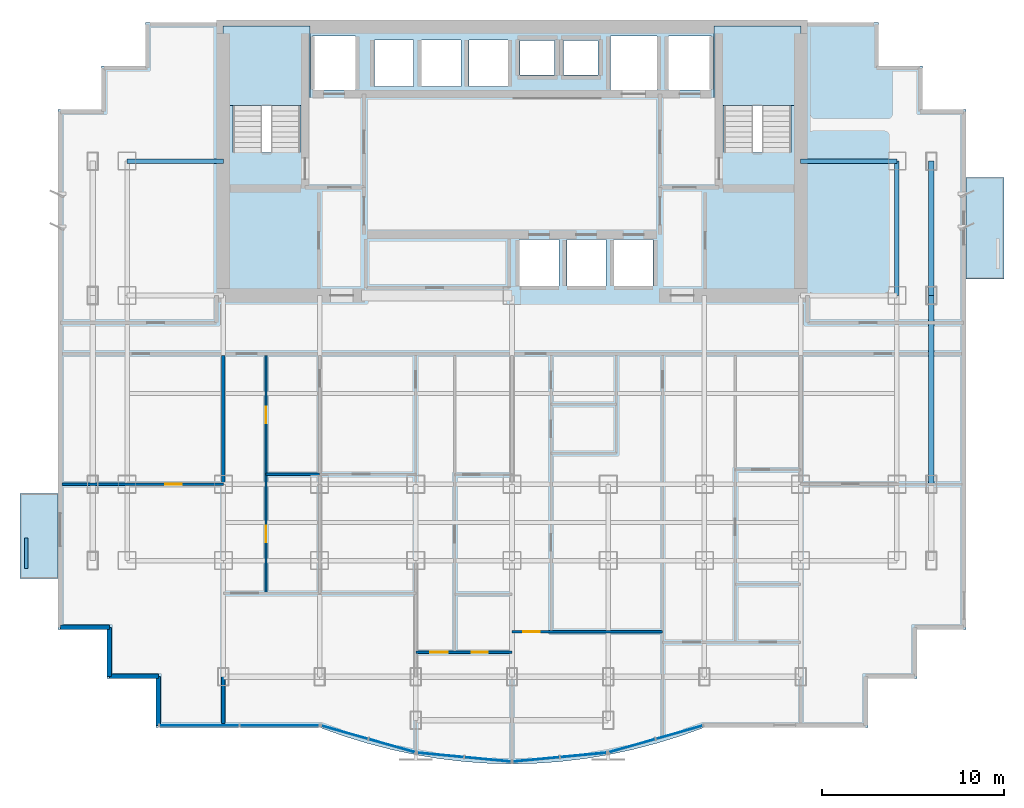
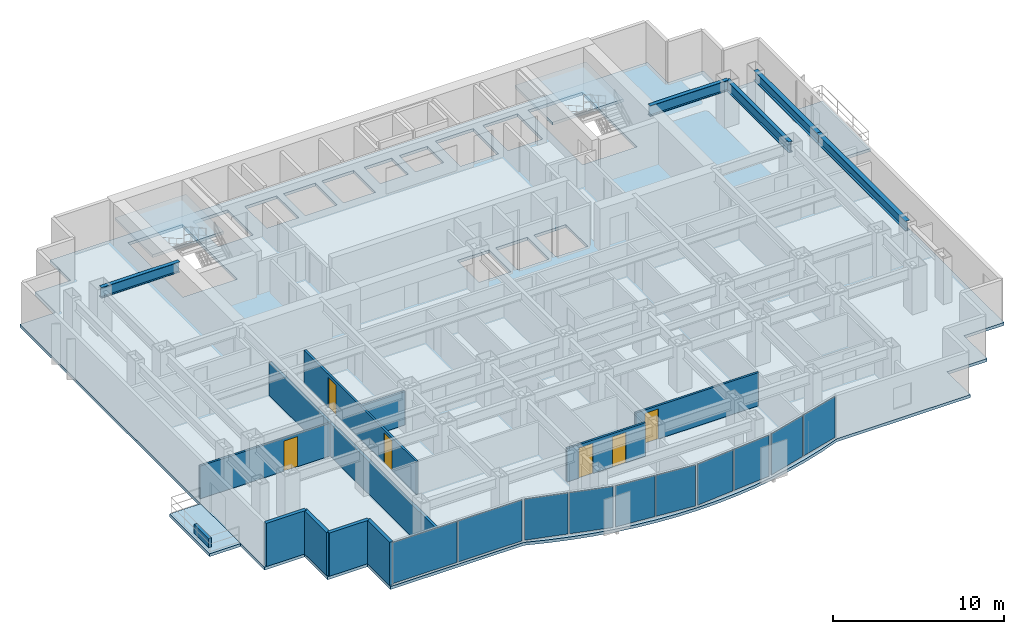
# One storey, part 4 of 10: 11 walls, 10 plates, 6 doors, 5 beams, 5 slabs, 6 openings, 7 elements without a shape of their own.
"""IFC4 building model written with IfcOpenShell, lengths in metres."""

from ifc_helpers import new_model, si_unit, direction, frame, frame_2d, origin, origin_2d, place, context, subcontext, project, spatial, polyline, rectangle, i_section, outline, extrude, source, transform, mapped, material, layer, layer_set, material_profile, profile_set, type_object, element, fill, aggregate, save


model = new_model("IFC4")

# Units and contexts
model_context = context("Model", 3, precision=1e-05, world=origin(), true_north=direction((0.0, 1.0)))
body_context = subcontext(model_context, "Body", "Model", "MODEL_VIEW")
ifc_project = project(units=[si_unit("LENGTHUNIT", "METRE"), si_unit("AREAUNIT", "SQUARE_METRE"), si_unit("VOLUMEUNIT", "CUBIC_METRE"), si_unit("PLANEANGLEUNIT", "RADIAN"), si_unit("MASSUNIT", "GRAM", prefix="KILO")], contexts=[model_context])

# Site, building, storey
site_placement = place(None, origin())
site = spatial("IfcSite", under=ifc_project, at=site_placement, CompositionType="ELEMENT")
building_placement = place(site_placement, origin())
building = spatial("IfcBuilding", under=site, at=building_placement, Name="Qianlan Lanfeng Residences", CompositionType="ELEMENT")
storey_placement = place(building_placement, frame((0.0, 0.0, 94.89990234375)))
storey = spatial("IfcBuildingStorey", under=building, at=storey_placement, Name="L25", CompositionType="ELEMENT", Elevation=94.89990234375)

# Beams
ifc_material_1 = material(Name="Steel SN490B", Category="steel")
ifc_material_profile_1 = material_profile(ifc_material_1, i_section(OverallWidth=0.25, OverallDepth=0.75, WebThickness=0.013916015625, FlangeThickness=0.02490234375, at=origin_2d()), Name="H 750x250x14x25")
ifc_profile_set_1 = profile_set([ifc_material_profile_1], Name="Steel SN490B")
beam_type_1 = type_object("IfcBeamType", Name="G-850", PredefinedType="BEAM", material=ifc_profile_set_1)
for number, where, z_axis, x_axis, name in (
    (1, (5.300048828125, 32.60009765625, 2.715087890625), (1.0, 0.0, 0.0), (0.0, 1.0, 0.0), "Structural beam G-850"),
    (2, (42.39990234375, 32.60009765625, 2.715087890625), (1.0, 0.0, 0.0), (0.0, 1.0, 0.0), "Structural beam G-850"),
):
    element("IfcBeam", number, at=place(storey_placement, frame(where, z_axis=z_axis, x_axis=x_axis)), inside=storey, type_object=beam_type_1, Name=name, PredefinedType="BEAM", context=body_context, shape_type="SweptSolid", body=[
        extrude(i_section(OverallWidth=0.25, OverallDepth=0.75, WebThickness=0.013916015625, FlangeThickness=0.02490234375, at=origin_2d()), origin(), (0.0, 0.0, 1.0), 5.300048828125),
    ])
beam_1_placement = place(storey_placement, frame((47.699951171875, 25.199951171875, 2.715087890625), z_axis=(0.0, 1.0, 0.0), x_axis=(-1.0, 0.0, 0.0)))
element("IfcBeam", 3, at=beam_1_placement, inside=storey, type_object=beam_type_1, Name="Structural beam G-850", PredefinedType="BEAM", context=body_context, shape_type="SweptSolid", body=[
    extrude(i_section(OverallWidth=0.25, OverallDepth=0.75, WebThickness=0.013916015625, FlangeThickness=0.02490234375, at=origin_2d()), origin(), (0.0, 0.0, 1.0), 7.400146484375),
])
ifc_material_profile_2 = material_profile(ifc_material_1, i_section(OverallWidth=0.300048828125, OverallDepth=0.699951171875, WebThickness=0.012939453125, FlangeThickness=0.02392578125, at=origin_2d()), Name="H 700x300x13x24")
ifc_profile_set_2 = profile_set([ifc_material_profile_2], Name="Steel SN490B")
beam_type_2 = type_object("IfcBeamType", Name="SG-750", PredefinedType="SPANDREL", material=ifc_profile_set_2)
beam_2_placement = place(storey_placement, frame((49.60009765625, 14.800048828125, 2.739990234375), z_axis=(0.0, 1.0, 0.0), x_axis=(-1.0, 0.0, 0.0)))
element("IfcBeam", 4, at=beam_2_placement, inside=storey, type_object=beam_type_2, Name="Structural beam SG-750", PredefinedType="SPANDREL", context=body_context, shape_type="SweptSolid", body=[
    extrude(i_section(OverallWidth=0.300048828125, OverallDepth=0.699951171875, WebThickness=0.012939453125, FlangeThickness=0.02392578125, at=origin_2d()), origin(), (0.0, 0.0, 1.0), 10.39990234375),
])
beam_3_placement = place(storey_placement, frame((49.60009765625, 25.199951171875, 2.739990234375), z_axis=(0.0, 1.0, 0.0), x_axis=(-1.0, 0.0, 0.0)))
element("IfcBeam", 5, at=beam_3_placement, inside=storey, type_object=beam_type_2, Name="Structural beam SG-750", PredefinedType="SPANDREL", context=body_context, shape_type="SweptSolid", body=[
    extrude(i_section(OverallWidth=0.300048828125, OverallDepth=0.699951171875, WebThickness=0.012939453125, FlangeThickness=0.02392578125, at=origin_2d()), origin(), (0.0, 0.0, 1.0), 7.400146484375),
])

# Slabs
ifc_material_2 = material(Name="Concrete C42", Category="concrete")
ifc_layer_1 = layer(ifc_material_2, 0.2099609375)
ifc_layer_set_1 = layer_set([ifc_layer_1], Name="Concrete C42")
slab_type_1 = type_object("IfcSlabType", Name="S-BAL-210", PredefinedType="FLOOR", material=ifc_layer_set_1)
slab_1_placement = place(storey_placement, frame((0.0, 0.0, -0.2099609375)))
element("IfcSlab", 6, at=slab_1_placement, inside=storey, type_object=slab_type_1, Name="L25 Planted Tree Balcony Slab WB-S", PredefinedType="FLOOR", context=body_context, shape_type="SweptSolid", body=[
    extrude(outline(polyline([(1.5, 9.60009765625), (1.5, 14.300048828125), (-0.60009765625, 14.300048828125), (-0.60009765625, 9.60009765625), (1.5, 9.60009765625)])), origin(), (0.0, 0.0, 1.0), 0.2099609375),
])
slab_2_placement = place(storey_placement, frame((0.0, 0.0, -0.2099609375)))
element("IfcSlab", 7, at=slab_2_placement, inside=storey, type_object=slab_type_1, Name="L25 Planted Tree Balcony Slab EB-N", PredefinedType="FLOOR", context=body_context, shape_type="SweptSolid", body=[
    extrude(outline(polyline([(51.5, 31.699951171875), (51.5, 26.10009765625), (53.60009765625, 26.10009765625), (53.60009765625, 31.699951171875), (51.5, 31.699951171875)])), origin(), (0.0, 0.0, 1.0), 0.2099609375),
])
ifc_layer_2 = layer(ifc_material_2, 0.2099609375)
ifc_layer_set_2 = layer_set([ifc_layer_2], Name="Concrete C42")
slab_type_2 = type_object("IfcSlabType", Name="S-FL-210", PredefinedType="FLOOR", material=ifc_layer_set_2)
slab_3_placement = place(storey_placement, frame((0.0, 0.0, -0.2099609375)))
element("IfcSlab", 8, at=slab_3_placement, inside=storey, type_object=slab_type_2, Name="L25 Structural Floor Slab", PredefinedType="FLOOR", context=body_context, shape_type="SweptSolid", body=[
    extrude(outline(polyline([(1.5, 6.800048828125), (4.199951171875, 6.800048828125), (4.199951171875, 4.10009765625), (6.89990234375, 4.10009765625), (6.89990234375, 1.39990234375), (15.919921875, 1.39990234375), (17.241943359375, 0.930908203125), (18.56494140625, 0.52490234375), (19.886962890625, 0.180908203125), (21.2099609375, -0.10009765625), (22.531982421875, -0.319091796875), (23.85498046875, -0.47509765625), (25.177001953125, -0.569091796875), (26.5, -0.60009765625), (27.822021484375, -0.569091796875), (29.14501953125, -0.47509765625), (30.467041015625, -0.319091796875), (31.7900390625, -0.10009765625), (33.112060546875, 0.180908203125), (34.43505859375, 0.52490234375), (35.758056640625, 0.930908203125), (37.080078125, 1.39990234375), (46.10009765625, 1.39990234375), (46.10009765625, 4.10009765625), (48.800048828125, 4.10009765625), (48.800048828125, 6.800048828125), (51.5, 6.800048828125), (51.5, 35.449951171875), (49.10009765625, 35.449951171875), (49.10009765625, 37.85009765625), (46.699951171875, 37.85009765625), (46.699951171875, 40.25), (6.300048828125, 40.25), (6.300048828125, 37.85009765625), (3.89990234375, 37.85009765625), (3.89990234375, 35.449951171875), (1.5, 35.449951171875), (1.5, 6.800048828125)]), holes=[polyline([(11.139892578125, 33.080078125), (11.139892578125, 39.5), (14.820068359375, 39.5), (14.820068359375, 33.080078125), (11.139892578125, 33.080078125)]), polyline([(38.179931640625, 33.080078125), (38.179931640625, 39.5), (41.860107421875, 39.5), (41.860107421875, 33.080078125), (38.179931640625, 33.080078125)]), polyline([(15.52001953125, 36.52001953125), (15.52001953125, 39.47998046875), (17.8798828125, 39.47998046875), (17.8798828125, 36.52001953125), (15.52001953125, 36.52001953125)]), polyline([(35.1201171875, 36.52001953125), (35.1201171875, 39.47998046875), (37.47998046875, 39.47998046875), (37.47998046875, 36.52001953125), (35.1201171875, 36.52001953125)]), polyline([(31.919921875, 36.52001953125), (31.919921875, 39.47998046875), (34.47998046875, 39.47998046875), (34.47998046875, 36.52001953125), (31.919921875, 36.52001953125)]), polyline([(26.919921875, 25.719970703125), (26.919921875, 28.280029296875), (29.080078125, 28.280029296875), (29.080078125, 25.719970703125), (26.919921875, 25.719970703125)]), polyline([(29.52001953125, 25.719970703125), (29.52001953125, 28.280029296875), (31.679931640625, 28.280029296875), (31.679931640625, 25.719970703125), (29.52001953125, 25.719970703125)]), polyline([(32.1201171875, 25.719970703125), (32.1201171875, 28.280029296875), (34.280029296875, 28.280029296875), (34.280029296875, 25.719970703125), (32.1201171875, 25.719970703125)]), polyline([(18.919921875, 36.719970703125), (18.919921875, 39.280029296875), (21.080078125, 39.280029296875), (21.080078125, 36.719970703125), (18.919921875, 36.719970703125)]), polyline([(21.52001953125, 36.719970703125), (21.52001953125, 39.280029296875), (23.679931640625, 39.280029296875), (23.679931640625, 36.719970703125), (21.52001953125, 36.719970703125)]), polyline([(24.1201171875, 36.719970703125), (24.1201171875, 39.280029296875), (26.280029296875, 39.280029296875), (26.280029296875, 36.719970703125), (24.1201171875, 36.719970703125)]), polyline([(26.949951171875, 37.35009765625), (26.949951171875, 39.25), (28.85009765625, 39.25), (28.85009765625, 37.35009765625), (26.949951171875, 37.35009765625)]), polyline([(29.35009765625, 37.35009765625), (29.35009765625, 39.25), (31.25, 39.25), (31.25, 37.35009765625), (29.35009765625, 37.35009765625)])]), origin(), (0.0, 0.0, 1.0), 0.2099609375),
])

# Stair, slab
stair_type = type_object("IfcStairType", Name="STR-MAIN", PredefinedType="HALF_TURN_STAIR", material=ifc_material_2)
stair_1_placement = place(storey_placement, origin())
stair_1 = element("IfcStair", 9, at=stair_1_placement, inside=storey, type_object=stair_type, Name="L25 Exit Stair ST-1", PredefinedType="HALF_TURN_STAIR")
ifc_layer_3 = layer(ifc_material_2, 0.179931640625)
ifc_layer_set_3 = layer_set([ifc_layer_3], Name="Concrete C42")
slab_type_3 = type_object("IfcSlabType", Name="S-LND-180", PredefinedType="LANDING", material=ifc_layer_set_3)
slab_4_placement = place(storey_placement, frame((0.0, 0.0, 1.4501953125)))
slab_4 = element("IfcSlab", 10, at=slab_4_placement, type_object=slab_type_3, Name="ST-1 landing 1", PredefinedType="LANDING", context=body_context, shape_type="SweptSolid", body=[
    extrude(outline(polyline([(10.580078125, 35.659912109375), (15.3798828125, 35.659912109375), (15.3798828125, 40.050048828125), (10.580078125, 40.050048828125), (10.580078125, 35.659912109375)])), origin(), (0.0, 0.0, 1.0), 0.199951171875),
])
aggregate(stair_1, [slab_4])

stair_2_placement = place(storey_placement, origin())
stair_2 = element("IfcStair", 11, at=stair_2_placement, inside=storey, type_object=stair_type, Name="L25 Exit Stair ST-2", PredefinedType="HALF_TURN_STAIR")
slab_5_placement = place(storey_placement, frame((0.0, 0.0, 1.4501953125)))
slab_5 = element("IfcSlab", 12, at=slab_5_placement, type_object=slab_type_3, Name="ST-2 landing 1", PredefinedType="LANDING", context=body_context, shape_type="SweptSolid", body=[
    extrude(outline(polyline([(37.6201171875, 35.659912109375), (42.419921875, 35.659912109375), (42.419921875, 40.050048828125), (37.6201171875, 40.050048828125), (37.6201171875, 35.659912109375)])), origin(), (0.0, 0.0, 1.0), 0.199951171875),
])
aggregate(stair_2, [slab_5])

# Curtain wall, plate
ifc_material_3 = material(Name="Anodised Bronze Aluminium 6063-T6", Category="aluminium")
ifc_layer_4 = layer(ifc_material_3, 0.219970703125)
ifc_layer_set_4 = layer_set([ifc_layer_4], Name="Anodised Bronze Aluminium 6063-T6")
curtain_wall_type = type_object("IfcCurtainWallType", Name="CW-03", PredefinedType="NOTDEFINED", material=ifc_layer_set_4)
curtain_wall_1_placement = place(storey_placement, origin())
curtain_wall_1 = element("IfcCurtainWall", 13, at=curtain_wall_1_placement, inside=storey, type_object=curtain_wall_type, Name="L25 Unitised Curtain Wall CWR-L25-02 (CW-03)", PredefinedType="NOTDEFINED")
ifc_material_4 = material(Name="Perforated Anodised Bronze Aluminium Panel", Category="aluminium")
ifc_layer_5 = layer(ifc_material_4, 0.0419921875)
ifc_layer_set_5 = layer_set([ifc_layer_5], Name="Perforated Anodised Bronze Aluminium Panel")
plate_type_1 = type_object("IfcPlateType", Name="PNL-PRF-BRZ", PredefinedType="CURTAIN_PANEL", material=ifc_layer_set_5)
shared_shape_1 = source(origin(), body_context, "Body", "SweptSolid", [
    extrude(rectangle(XDim=2.632080078125, YDim=0.0419921875, at=origin_2d()), origin(), (0.0, 0.0, 1.0), 2.931884765625),
])
plate_1_placement = place(storey_placement, frame((19.889892578125, 0.39892578125, 0.0791015625), z_axis=(0.0, 0.0, 1.0), x_axis=(0.961989074302, -0.273087936247, 0.0)))
plate_1 = element("IfcPlate", 14, at=plate_1_placement, type_object=plate_type_1, Name="CWR-L25-02 Curtain Panel 2", PredefinedType="CURTAIN_PANEL", context=body_context, shape_type="MappedRepresentation", body=[
    mapped(shared_shape_1, transform((0.0, 0.0, 0.0), scale=1.0)),
])

# Curtain wall, plates
curtain_wall_2_placement = place(storey_placement, origin())
curtain_wall_2 = element("IfcCurtainWall", 15, at=curtain_wall_2_placement, inside=storey, type_object=curtain_wall_type, Name="L25 Unitised Curtain Wall CWR-L25-01 (CW-03)", PredefinedType="NOTDEFINED")
ifc_material_5 = material(Name="Dark Bronze Tinted Insulated Glass", Category="glass")
ifc_layer_6 = layer(ifc_material_5, 0.0380859375)
ifc_layer_set_6 = layer_set([ifc_layer_6], Name="Dark Bronze Tinted Insulated Glass")
plate_type_2 = type_object("IfcPlateType", Name="PNL-GLZ-BRZ", PredefinedType="CURTAIN_PANEL", material=ifc_layer_set_6)
shared_shape_2 = source(origin(), body_context, "Body", "SweptSolid", [
    extrude(rectangle(XDim=4.342529296875, YDim=0.0380859375, at=origin_2d()), origin(), (0.0, 0.0, 1.0), 2.931884765625),
])
plate_2_placement = place(storey_placement, frame((9.270263671875, 1.52001953125, 0.0791015625), z_axis=(0.0, 0.0, 1.0), x_axis=(1.0, 0.0, 0.0)))
plate_2 = element("IfcPlate", 16, at=plate_2_placement, type_object=plate_type_2, Name="CWR-L25-01 Curtain Panel 1", PredefinedType="CURTAIN_PANEL", context=body_context, shape_type="MappedRepresentation", body=[
    mapped(shared_shape_2, transform((0.0, 0.0, 0.0), scale=1.0)),
])
plate_3_placement = place(storey_placement, frame((13.690673828125, 1.52001953125, 0.0791015625), z_axis=(0.0, 0.0, 1.0), x_axis=(1.0, 0.0, 0.0)))
plate_3 = element("IfcPlate", 17, at=plate_3_placement, type_object=plate_type_2, Name="CWR-L25-01 Curtain Panel 2", PredefinedType="CURTAIN_PANEL", context=body_context, shape_type="MappedRepresentation", body=[
    mapped(shared_shape_2, transform((0.0, 0.0, 0.0), scale=1.0)),
])
aggregate(curtain_wall_2, [plate_2, plate_3])

# Plate
shared_shape_3 = source(origin(), body_context, "Body", "SweptSolid", [
    extrude(rectangle(XDim=2.632080078125, YDim=0.0380859375, at=origin_2d()), origin(), (0.0, 0.0, 1.0), 2.931884765625),
])
plate_4_placement = place(storey_placement, frame((17.282958984375, 1.138916015625, 0.0791015625), z_axis=(0.0, 0.0, 1.0), x_axis=(0.961989074302, -0.273087936247, 0.0)))
plate_4 = element("IfcPlate", 18, at=plate_4_placement, type_object=plate_type_2, Name="CWR-L25-02 Curtain Panel 1", PredefinedType="CURTAIN_PANEL", context=body_context, shape_type="MappedRepresentation", body=[
    mapped(shared_shape_3, transform((0.0, 0.0, 0.0), scale=1.0)),
])

aggregate(curtain_wall_1, [plate_4, plate_1])

# Curtain wall, plates
curtain_wall_3_placement = place(storey_placement, origin())
curtain_wall_3 = element("IfcCurtainWall", 19, at=curtain_wall_3_placement, inside=storey, type_object=curtain_wall_type, Name="L25 Unitised Curtain Wall CWR-L25-05 (CW-03)", PredefinedType="NOTDEFINED")
plate_5_placement = place(storey_placement, frame((33.110107421875, 0.39892578125, 0.0791015625), z_axis=(0.0, 0.0, 1.0), x_axis=(0.961989074302, 0.273087936247, 0.0)))
plate_5 = element("IfcPlate", 20, at=plate_5_placement, type_object=plate_type_2, Name="CWR-L25-05 Curtain Panel 1", PredefinedType="CURTAIN_PANEL", context=body_context, shape_type="MappedRepresentation", body=[
    mapped(shared_shape_3, transform((0.0, 0.0, 0.0), scale=1.0)),
])
plate_6_placement = place(storey_placement, frame((35.717041015625, 1.138916015625, 0.0791015625), z_axis=(0.0, 0.0, 1.0), x_axis=(0.961989074302, 0.273087936247, 0.0)))
plate_6 = element("IfcPlate", 21, at=plate_6_placement, type_object=plate_type_2, Name="CWR-L25-05 Curtain Panel 2", PredefinedType="CURTAIN_PANEL", context=body_context, shape_type="MappedRepresentation", body=[
    mapped(shared_shape_3, transform((0.0, 0.0, 0.0), scale=1.0)),
])
aggregate(curtain_wall_3, [plate_5, plate_6])

# Curtain wall, plate
curtain_wall_4_placement = place(storey_placement, origin())
curtain_wall_4 = element("IfcCurtainWall", 22, at=curtain_wall_4_placement, inside=storey, type_object=curtain_wall_type, Name="L25 Unitised Curtain Wall CWR-L25-03 (CW-03)", PredefinedType="NOTDEFINED")
shared_shape_4 = source(origin(), body_context, "Body", "SweptSolid", [
    extrude(rectangle(XDim=2.527587890625, YDim=0.0380859375, at=origin_2d()), origin(), (0.0, 0.0, 1.0), 2.931884765625),
])
plate_7_placement = place(storey_placement, frame((22.56884765625, -0.1083984375, 0.0791015625), z_axis=(0.0, 0.0, 1.0), x_axis=(0.995561471839, -0.094113526067, 0.0)))
plate_7 = element("IfcPlate", 23, at=plate_7_placement, type_object=plate_type_2, Name="CWR-L25-03 Curtain Panel 1", PredefinedType="CURTAIN_PANEL", context=body_context, shape_type="MappedRepresentation", body=[
    mapped(shared_shape_4, transform((0.0, 0.0, 0.0), scale=1.0)),
])

curtain_wall_5_placement = place(storey_placement, origin())
curtain_wall_5 = element("IfcCurtainWall", 24, at=curtain_wall_5_placement, inside=storey, type_object=curtain_wall_type, Name="L25 Unitised Curtain Wall CWR-L25-04 (CW-03)", PredefinedType="NOTDEFINED")
plate_8_placement = place(storey_placement, frame((27.8369140625, -0.353515625, 0.0791015625), z_axis=(0.0, 0.0, 1.0), x_axis=(0.995561471839, 0.094113526067, 0.0)))
plate_8 = element("IfcPlate", 25, at=plate_8_placement, type_object=plate_type_2, Name="CWR-L25-04 Curtain Panel 1", PredefinedType="CURTAIN_PANEL", context=body_context, shape_type="MappedRepresentation", body=[
    mapped(shared_shape_4, transform((0.0, 0.0, 0.0), scale=1.0)),
])

# Plate
shared_shape_5 = source(origin(), body_context, "Body", "SweptSolid", [
    extrude(rectangle(XDim=2.52783203125, YDim=0.0380859375, at=origin_2d()), origin(), (0.0, 0.0, 1.0), 2.931884765625),
])
plate_9_placement = place(storey_placement, frame((25.1630859375, -0.353515625, 0.0791015625), z_axis=(0.0, 0.0, 1.0), x_axis=(0.995561471839, -0.094113526067, 0.0)))
plate_9 = element("IfcPlate", 26, at=plate_9_placement, type_object=plate_type_2, Name="CWR-L25-03 Curtain Panel 2", PredefinedType="CURTAIN_PANEL", context=body_context, shape_type="MappedRepresentation", body=[
    mapped(shared_shape_5, transform((0.0, 0.0, 0.0), scale=1.0)),
])

aggregate(curtain_wall_4, [plate_7, plate_9])

shared_shape_6 = source(origin(), body_context, "Body", "SweptSolid", [
    extrude(rectangle(XDim=2.52783203125, YDim=0.0419921875, at=origin_2d()), origin(), (0.0, 0.0, 1.0), 2.931884765625),
])
plate_10_placement = place(storey_placement, frame((30.43115234375, -0.1083984375, 0.0791015625), z_axis=(0.0, 0.0, 1.0), x_axis=(0.995561471839, 0.094113526067, 0.0)))
plate_10 = element("IfcPlate", 27, at=plate_10_placement, type_object=plate_type_1, Name="CWR-L25-04 Curtain Panel 2", PredefinedType="CURTAIN_PANEL", context=body_context, shape_type="MappedRepresentation", body=[
    mapped(shared_shape_6, transform((0.0, 0.0, 0.0), scale=1.0)),
])

aggregate(curtain_wall_5, [plate_8, plate_10])

# Walls
ifc_layer_7 = layer(ifc_material_2, 0.239990234375)
ifc_layer_set_7 = layer_set([ifc_layer_7], Name="Concrete C42")
wall_type_1 = type_object("IfcWallType", Name="EW-240", PredefinedType="SOLIDWALL", material=ifc_layer_set_7)
for number, where, z_axis, x_axis, name in (
    (28, (1.6201171875, 6.919921875, 0.0), (0.0, 0.0, 1.0), (1.0, 0.0, 0.0), "L25 Exterior Facade Spandrel Wall 1"),
    (29, (4.320068359375, 6.919921875, 0.0), (0.0, 0.0, 1.0), (0.0, -1.0, 0.0), "L25 Exterior Facade Spandrel Wall 2"),
    (30, (4.320068359375, 4.219970703125, 0.0), (0.0, 0.0, 1.0), (1.0, 0.0, 0.0), "L25 Exterior Facade Spandrel Wall 3"),
    (31, (7.02001953125, 4.219970703125, 0.0), (0.0, 0.0, 1.0), (0.0, -1.0, 0.0), "L25 Exterior Facade Spandrel Wall 4"),
):
    element("IfcWall", number, at=place(storey_placement, frame(where, z_axis=z_axis, x_axis=x_axis)), inside=storey, type_object=wall_type_1, Name=name, PredefinedType="SOLIDWALL", context=body_context, shape_type="SweptSolid", body=[
        extrude(rectangle(XDim=2.699951171875, YDim=0.239990234375, at=frame_2d((1.35009765625, 0.0))), origin(), (0.0, 0.0, 1.0), 3.090087890625),
    ])
ifc_layer_8 = layer(ifc_material_2, 0.199951171875)
ifc_layer_set_8 = layer_set([ifc_layer_8], Name="Concrete C42")
wall_type_2 = type_object("IfcWallType", Name="PL-TREE-200", PredefinedType="PARAPET", material=ifc_layer_set_8)
wall_1_placement = place(storey_placement, frame((-0.25, 10.14990234375, 0.0), z_axis=(0.0, 0.0, 1.0), x_axis=(0.0, 1.0, 0.0)))
element("IfcWall", 32, at=wall_1_placement, inside=storey, type_object=wall_type_2, Name="L25 West Tree Planter Curb WB-S", PredefinedType="PARAPET", context=body_context, shape_type="SweptSolid", body=[
    extrude(rectangle(XDim=1.7001953125, YDim=0.199951171875, at=frame_2d((0.85009765625, 0.0))), origin(), (0.0, 0.0, 1.0), 0.650146484375),
])

# Wall, openings, doors
ifc_material_6 = material(Name="Moisture-Resistant Gypsum Partition 135 mm")
ifc_layer_9 = layer(ifc_material_6, 0.135009765625)
ifc_layer_set_9 = layer_set([ifc_layer_9], Name="Moisture-Resistant Gypsum Partition 135 mm")
wall_type_3 = type_object("IfcWallType", Name="PW-135", PredefinedType="PARTITIONING", material=ifc_layer_set_9)
wall_2_placement = place(storey_placement, frame((12.949951171875, 8.7900390625, 0.0), z_axis=(0.0, 0.0, 1.0), x_axis=(0.0, 1.0, 0.0)))
wall_2 = element("IfcWall", 33, at=wall_2_placement, inside=storey, type_object=wall_type_3, Name="L25 U01 Kitchen/Bath Wall", PredefinedType="PARTITIONING", context=body_context, shape_type="SweptSolid", body=[
    extrude(rectangle(XDim=13.10986328125, YDim=0.135009765625, at=frame_2d((6.554931640625, 0.0))), origin(), (0.0, 0.0, 1.0), 2.380126953125),
])
opening_1_placement = place(wall_2_placement, frame((2.81689453125, 0.0, 0.0)))
opening_1 = element("IfcOpeningElement", 34, at=opening_1_placement, cuts=wall_2, Name="Opening L25-D18", PredefinedType="OPENING", context=body_context, shape_type="SweptSolid", body=[
    extrude(rectangle(XDim=0.919921875, YDim=2.14990234375, at=frame_2d((0.4599609375, 1.074951171875))), frame((0.0, 0.07763671875, 0.0), z_axis=(0.0, -1.0, 0.0), x_axis=(1.0, 0.0, 0.0)), (0.0, 0.0, 1.0), 0.155029296875),
])
opening_2_placement = place(wall_2_placement, frame((9.383056640625, 0.0, 0.0)))
opening_2 = element("IfcOpeningElement", 35, at=opening_2_placement, cuts=wall_2, Name="Opening L25-D19", PredefinedType="OPENING", context=body_context, shape_type="SweptSolid", body=[
    extrude(rectangle(XDim=0.89990234375, YDim=2.14990234375, at=frame_2d((0.449951171875, 1.074951171875))), frame((0.0, 0.07763671875, 0.0), z_axis=(0.0, -1.0, 0.0), x_axis=(1.0, 0.0, 0.0)), (0.0, 0.0, 1.0), 0.155029296875),
])
ifc_material_7 = material(Name="Glazed Timber Kitchen/Study Door", Category="wood")
door_type_1 = type_object("IfcDoorType", Name="DT-INT", OperationType="NOTDEFINED", PredefinedType="DOOR", material=ifc_material_7)
door_1_placement = place(opening_1_placement, origin())
door_1 = element("IfcDoor", 36, at=door_1_placement, inside=storey, type_object=door_type_1, Name="L25 U01 Kitchen Door L25-D18 (DT-INT)", OperationType="SINGLE_SWING_LEFT", OverallHeight=2.14990234375, OverallWidth=0.919921875, PredefinedType="DOOR", context=body_context, shape_type="SweptSolid", body=[
    extrude(rectangle(XDim=0.919921875, YDim=2.14990234375, at=frame_2d((0.4599609375, 1.074951171875))), frame((0.0, 0.02490234375, 0.0), z_axis=(0.0, -1.0, 0.0), x_axis=(1.0, 0.0, 0.0)), (0.0, 0.0, 1.0), 0.050048828125),
])
fill(opening_1, door_1)
ifc_material_8 = material(Name="Moisture-Resistant Timber Leaf", Category="wood")
door_type_2 = type_object("IfcDoorType", Name="DT-WC", OperationType="NOTDEFINED", PredefinedType="DOOR", material=ifc_material_8)
door_2_placement = place(opening_2_placement, origin())
door_2 = element("IfcDoor", 37, at=door_2_placement, inside=storey, type_object=door_type_2, Name="L25 U01 Bathroom Door L25-D19 (DT-WC)", OperationType="SINGLE_SWING_RIGHT", OverallHeight=2.14990234375, OverallWidth=0.89990234375, PredefinedType="DOOR", context=body_context, shape_type="SweptSolid", body=[
    extrude(rectangle(XDim=0.89990234375, YDim=2.14990234375, at=frame_2d((0.449951171875, 1.074951171875))), frame((0.0, 0.02490234375, 0.0), z_axis=(0.0, -1.0, 0.0), x_axis=(1.0, 0.0, 0.0)), (0.0, 0.0, 1.0), 0.050048828125),
])
fill(opening_2, door_2)

# Wall
wall_3_placement = place(storey_placement, frame((12.949951171875, 15.344970703125, 0.0), z_axis=(0.0, 0.0, 1.0), x_axis=(1.0, 0.0, 0.0)))
element("IfcWall", 38, at=wall_3_placement, inside=storey, type_object=wall_type_3, Name="L25 U01 Bath Split Wall", PredefinedType="PARTITIONING", context=body_context, shape_type="SweptSolid", body=[
    extrude(rectangle(XDim=2.949951171875, YDim=0.135009765625, at=frame_2d((1.47509765625, 0.0))), origin(), (0.0, 0.0, 1.0), 2.380126953125),
])

# Wall, openings, doors
wall_4_placement = place(storey_placement, frame((21.199951171875, 5.547119140625, 0.0), z_axis=(0.0, 0.0, 1.0), x_axis=(1.0, 0.0, 0.0)))
wall_4 = element("IfcWall", 39, at=wall_4_placement, inside=storey, type_object=wall_type_3, Name="L25 U01 Master Bedroom North Wall", PredefinedType="PARTITIONING", context=body_context, shape_type="SweptSolid", body=[
    extrude(rectangle(XDim=5.300048828125, YDim=0.135009765625, at=frame_2d((2.64990234375, 0.0))), origin(), (0.0, 0.0, 1.0), 2.380126953125),
])
opening_3_placement = place(wall_4_placement, frame((0.800048828125, 0.0, 0.0)))
opening_3 = element("IfcOpeningElement", 40, at=opening_3_placement, cuts=wall_4, Name="Opening L25-D21", PredefinedType="OPENING", context=body_context, shape_type="SweptSolid", body=[
    extrude(rectangle(XDim=0.949951171875, YDim=2.14990234375, at=frame_2d((0.47509765625, 1.074951171875))), frame((0.0, 0.07763671875, 0.0), z_axis=(0.0, -1.0, 0.0), x_axis=(1.0, 0.0, 0.0)), (0.0, 0.0, 1.0), 0.155029296875),
])
opening_4_placement = place(wall_4_placement, frame((3.074951171875, 0.0, 0.0)))
opening_4 = element("IfcOpeningElement", 41, at=opening_4_placement, cuts=wall_4, Name="Opening L25-D22", PredefinedType="OPENING", context=body_context, shape_type="SweptSolid", body=[
    extrude(rectangle(XDim=0.89990234375, YDim=2.14990234375, at=frame_2d((0.449951171875, 1.074951171875))), frame((0.0, 0.07763671875, 0.0), z_axis=(0.0, -1.0, 0.0), x_axis=(1.0, 0.0, 0.0)), (0.0, 0.0, 1.0), 0.155029296875),
])
ifc_material_9 = material(Name="Painted Solid-Core Timber Leaf", Category="wood")
door_type_3 = type_object("IfcDoorType", Name="DT-BED", OperationType="NOTDEFINED", PredefinedType="DOOR", material=ifc_material_9)
door_3_placement = place(opening_3_placement, origin())
door_3 = element("IfcDoor", 42, at=door_3_placement, inside=storey, type_object=door_type_3, Name="L25 U01 Master Bedroom Door L25-D21 (DT-BED)", OperationType="SINGLE_SWING_LEFT", OverallHeight=2.14990234375, OverallWidth=0.949951171875, PredefinedType="DOOR", context=body_context, shape_type="SweptSolid", body=[
    extrude(rectangle(XDim=0.949951171875, YDim=2.14990234375, at=frame_2d((0.47509765625, 1.074951171875))), frame((0.0, 0.02490234375, 0.0), z_axis=(0.0, -1.0, 0.0), x_axis=(1.0, 0.0, 0.0)), (0.0, 0.0, 1.0), 0.050048828125),
])
fill(opening_3, door_3)
door_4_placement = place(opening_4_placement, origin())
door_4 = element("IfcDoor", 43, at=door_4_placement, inside=storey, type_object=door_type_2, Name="L25 U01 En-Suite Bathroom Door L25-D22 (DT-WC)", OperationType="SINGLE_SWING_LEFT", OverallHeight=2.14990234375, OverallWidth=0.89990234375, PredefinedType="DOOR", context=body_context, shape_type="SweptSolid", body=[
    extrude(rectangle(XDim=0.89990234375, YDim=2.14990234375, at=frame_2d((0.449951171875, 1.074951171875))), frame((0.0, 0.02490234375, 0.0), z_axis=(0.0, -1.0, 0.0), x_axis=(1.0, 0.0, 0.0)), (0.0, 0.0, 1.0), 0.050048828125),
])
fill(opening_4, door_4)

# Wall, opening, door
wall_5_placement = place(storey_placement, frame((26.5, 6.680908203125, 0.0), z_axis=(0.0, 0.0, 1.0), x_axis=(1.0, 0.0, 0.0)))
wall_5 = element("IfcWall", 44, at=wall_5_placement, inside=storey, type_object=wall_type_3, Name="L25 U02 Living Divider", PredefinedType="PARTITIONING", context=body_context, shape_type="SweptSolid", body=[
    extrude(rectangle(XDim=8.300048828125, YDim=0.135009765625, at=frame_2d((4.14990234375, 0.0))), origin(), (0.0, 0.0, 1.0), 2.380126953125),
])
opening_5_placement = place(wall_5_placement, frame((0.614990234375, 0.0, 0.0)))
opening_5 = element("IfcOpeningElement", 45, at=opening_5_placement, cuts=wall_5, Name="Opening L25-D27", PredefinedType="OPENING", context=body_context, shape_type="SweptSolid", body=[
    extrude(rectangle(XDim=0.919921875, YDim=2.14990234375, at=frame_2d((0.4599609375, 1.074951171875))), frame((0.0, 0.07763671875, 0.0), z_axis=(0.0, -1.0, 0.0), x_axis=(1.0, 0.0, 0.0)), (0.0, 0.0, 1.0), 0.155029296875),
])
door_5_placement = place(opening_5_placement, frame((0.919921875, 0.0, 0.0), z_axis=(0.0, 0.0, 1.0), x_axis=(-1.0, 0.0, 0.0)))
door_5 = element("IfcDoor", 46, at=door_5_placement, inside=storey, type_object=door_type_1, Name="L25 U02 Living Passage Door L25-D27 (DT-INT)", OperationType="SINGLE_SWING_RIGHT", OverallHeight=2.14990234375, OverallWidth=0.919921875, PredefinedType="DOOR", context=body_context, shape_type="SweptSolid", body=[
    extrude(rectangle(XDim=0.919921875, YDim=2.14990234375, at=frame_2d((0.4599609375, 1.074951171875))), frame((0.0, 0.02490234375, 0.0), z_axis=(0.0, -1.0, 0.0), x_axis=(1.0, 0.0, 0.0)), (0.0, 0.0, 1.0), 0.050048828125),
])
fill(opening_5, door_5)

wall_6_placement = place(storey_placement, frame((1.719970703125, 14.800048828125, 0.0), z_axis=(0.0, 0.0, 1.0), x_axis=(1.0, 0.0, 0.0)))
wall_6 = element("IfcWall", 47, at=wall_6_placement, inside=storey, type_object=wall_type_3, Name="L25 SWP Mid Partition", PredefinedType="PARTITIONING", context=body_context, shape_type="SweptSolid", body=[
    extrude(rectangle(XDim=8.880126953125, YDim=0.135009765625, at=frame_2d((4.43994140625, 0.0))), origin(), (0.0, 0.0, 1.0), 2.335205078125),
])
opening_6_placement = place(wall_6_placement, frame((5.679931640625, 0.0, 0.0)))
opening_6 = element("IfcOpeningElement", 48, at=opening_6_placement, cuts=wall_6, Name="Opening L25-D35", PredefinedType="OPENING", context=body_context, shape_type="SweptSolid", body=[
    extrude(rectangle(XDim=0.919921875, YDim=2.14990234375, at=frame_2d((0.4599609375, 1.074951171875))), frame((0.0, 0.07763671875, 0.0), z_axis=(0.0, -1.0, 0.0), x_axis=(1.0, 0.0, 0.0)), (0.0, 0.0, 1.0), 0.155029296875),
])
door_6_placement = place(opening_6_placement, origin())
door_6 = element("IfcDoor", 49, at=door_6_placement, inside=storey, type_object=door_type_1, Name="L25 SWP Inner Door L25-D35 (DT-INT)", OperationType="SINGLE_SWING_RIGHT", OverallHeight=2.14990234375, OverallWidth=0.919921875, PredefinedType="DOOR", context=body_context, shape_type="SweptSolid", body=[
    extrude(rectangle(XDim=0.919921875, YDim=2.14990234375, at=frame_2d((0.4599609375, 1.074951171875))), frame((0.0, 0.02490234375, 0.0), z_axis=(0.0, -1.0, 0.0), x_axis=(1.0, 0.0, 0.0)), (0.0, 0.0, 1.0), 0.050048828125),
])
fill(opening_6, door_6)

# Wall
ifc_material_10 = material(Name="Double-Layer Acoustic Gypsum Stud Wall 180 mm")
ifc_layer_10 = layer(ifc_material_10, 0.179931640625)
ifc_layer_set_10 = layer_set([ifc_layer_10], Name="Double-Layer Acoustic Gypsum Stud Wall 180 mm")
wall_type_4 = type_object("IfcWallType", Name="PW-180", PredefinedType="PARTITIONING", material=ifc_layer_set_10)
wall_7_placement = place(storey_placement, frame((10.60009765625, 1.6201171875, 0.0), z_axis=(0.0, 0.0, 1.0), x_axis=(0.0, 1.0, 0.0)))
element("IfcWall", 50, at=wall_7_placement, inside=storey, type_object=wall_type_4, Name="L25 Wing Boundary Party Wall W0", PredefinedType="PARTITIONING", context=body_context, shape_type="SweptSolid", body=[
    extrude(rectangle(XDim=20.27978515625, YDim=0.179931640625, at=frame_2d((10.139892578125, 0.0))), origin(), (0.0, 0.0, 1.0), 2.335205078125),
])

save(model, "model.ifc")
